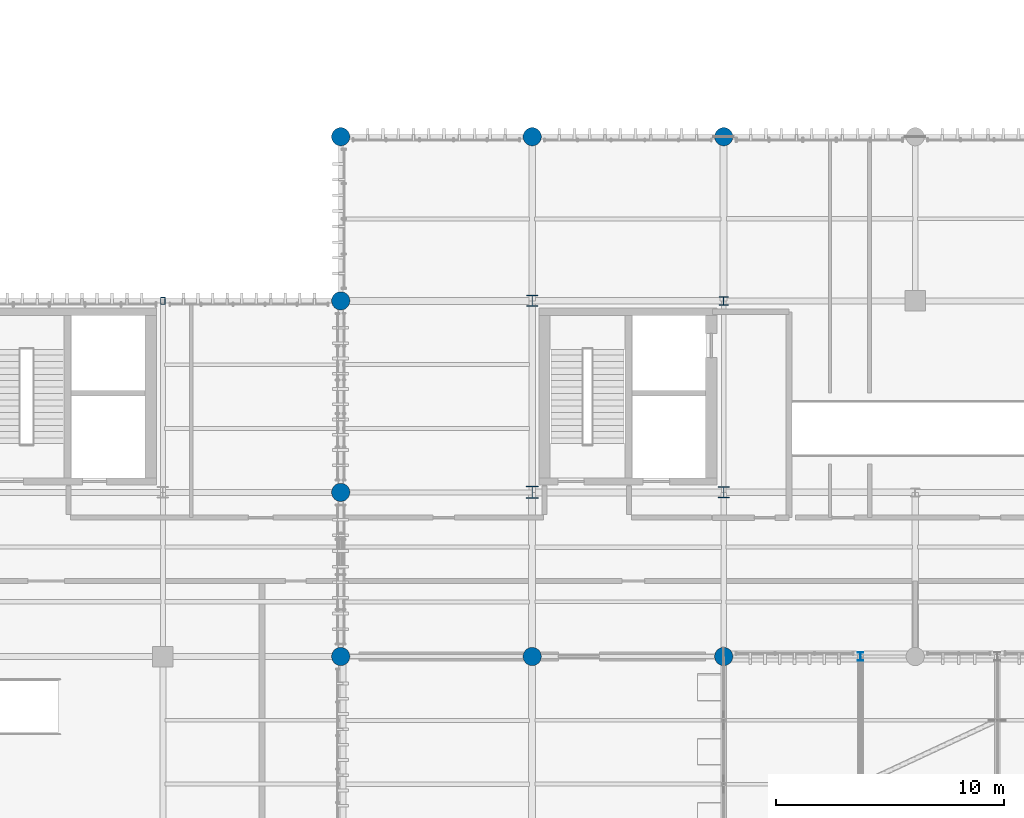
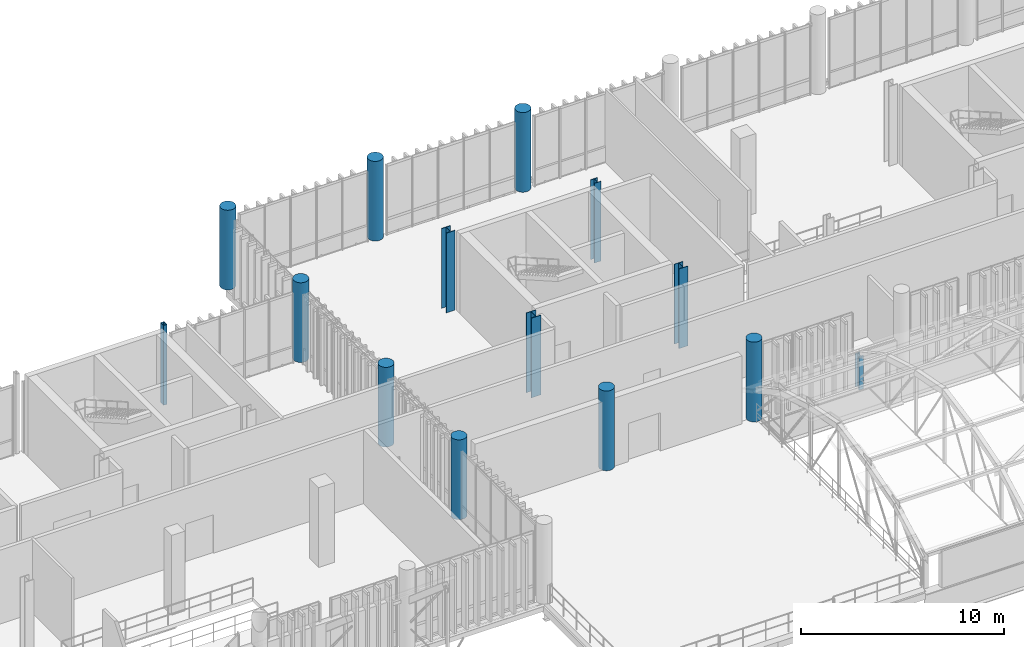
# One storey, part 4 of 109: 14 columns.
"""IFC4 building model written with IfcOpenShell, lengths in metres."""

from ifc_helpers import new_model, si_unit, direction, frame, origin_with_axes, origin_2d_with_axis, place, context, subcontext, project, spatial, hollow_rectangle, circle, i_section, extrude, material, material_profile, profile_set, type_object, element, save


model = new_model("IFC4")

# Units and contexts
model_context = context("Model", 3, precision=1e-05, world=origin_with_axes(), true_north=direction((0.0, 1.0)))
body_context = subcontext(model_context, "Body", "Model", "MODEL_VIEW")
ifc_project = project(units=[si_unit("LENGTHUNIT", "METRE"), si_unit("AREAUNIT", "SQUARE_METRE"), si_unit("VOLUMEUNIT", "CUBIC_METRE"), si_unit("PLANEANGLEUNIT", "RADIAN"), si_unit("MASSUNIT", "GRAM", prefix="KILO"), si_unit("THERMODYNAMICTEMPERATUREUNIT", "KELVIN")], contexts=[model_context])

# Site, building, storey
site_placement = place(None, origin_with_axes())
site = spatial("IfcSite", under=ifc_project, at=site_placement, CompositionType="ELEMENT")
building_placement = place(site_placement, origin_with_axes())
building = spatial("IfcBuilding", under=site, at=building_placement, Name="Montbau Bow Law Courts", CompositionType="ELEMENT")
storey_placement = place(building_placement, frame((0.0, 0.0, 10.8), z_axis=(0.0, 0.0, 1.0), x_axis=(1.0, 0.0, 0.0)))
storey = spatial("IfcBuildingStorey", under=building, at=storey_placement, Name="L02", CompositionType="ELEMENT", Elevation=10.8)

# Columns
ifc_material_1 = material(Name="Steel CSA G40.21 Grade 350WT (350 MPa)", Category="steel")
ifc_material_profile_1 = material_profile(ifc_material_1, hollow_rectangle(XDim=0.203, YDim=0.305, WallThickness=0.0127, InnerFilletRadius=0.0254, OuterFilletRadius=0.0127, at=origin_2d_with_axis()), Name="HSS305X203X13", Category="Main", Priority=0)
ifc_profile_set_1 = profile_set([ifc_material_profile_1], Name="Steel CSA G40.21 Grade 350WT (350 MPa)")
column_type_1 = type_object("IfcColumnType", Name="C-HSS-03", PredefinedType="COLUMN", material=ifc_profile_set_1)
column_1_placement = place(None, frame((39.0, 54.6, 10.8), z_axis=(0.0, 0.0, 1.0), x_axis=(1.0, 0.0, 0.0)))
element("IfcColumn", 1, at=column_1_placement, inside=storey, type_object=column_type_1, Name="C-L02-S0539:col2_0539", PredefinedType="COLUMN", context=body_context, shape_type="SweptSolid", body=[
    extrude(hollow_rectangle(XDim=0.203, YDim=0.305, WallThickness=0.0127, InnerFilletRadius=0.0254, OuterFilletRadius=0.0127, at=origin_2d_with_axis()), origin_with_axes(), (0.0, 0.0, 1.0), 4.8),
])
ifc_material_2 = material(Name="Concrete CSA A23.1 f'c 40 MPa", Category="concrete")
ifc_material_profile_2 = material_profile(ifc_material_2, circle(Radius=0.4, at=origin_2d_with_axis()), Name="RC800D", Category="Main", Priority=0)
ifc_profile_set_2 = profile_set([ifc_material_profile_2], Name="Concrete CSA A23.1 f'c 40 MPa")
column_type_2 = type_object("IfcColumnType", Name="C-RC-07", PredefinedType="COLUMN", material=ifc_profile_set_2)
for number, where, z_axis, x_axis, name in (
    (2, (46.8, 39.0, 10.8), (0.0, 0.0, 1.0), (1.0, 0.0, 0.0), "C-L02-S0541:col2_0541"),
    (3, (46.8, 46.2, 10.8), (0.0, 0.0, 1.0), (1.0, 0.0, 0.0), "C-L02-S0542:col2_0542"),
    (4, (46.8, 54.6, 10.8), (0.0, 0.0, 1.0), (1.0, 0.0, 0.0), "C-L02-S0543:col2_0543"),
    (5, (46.8, 61.8, 10.8), (0.0, 0.0, 1.0), (1.0, 0.0, 0.0), "C-L02-S0544:col2_0544"),
    (6, (55.2, 39.0, 10.8), (0.0, 0.0, 1.0), (1.0, 0.0, 0.0), "C-L02-S0545:col2_0545"),
    (7, (55.2, 61.8, 10.8), (0.0, 0.0, 1.0), (1.0, 0.0, 0.0), "C-L02-S0548:col2_0548"),
    (8, (63.6, 39.0, 10.8), (0.0, 0.0, 1.0), (1.0, 0.0, 0.0), "C-L02-S0549:col2_0549"),
    (9, (63.6, 61.8, 10.8), (0.0, 0.0, 1.0), (1.0, 0.0, 0.0), "C-L02-S0552:col2_0552"),
):
    element("IfcColumn", number, at=place(None, frame(where, z_axis=z_axis, x_axis=x_axis)), inside=storey, type_object=column_type_2, Name=name, PredefinedType="COLUMN", context=body_context, shape_type="SweptSolid", body=[
        extrude(circle(Radius=0.4, at=origin_2d_with_axis()), origin_with_axes(), (0.0, 0.0, 1.0), 4.8),
    ])
ifc_material_3 = material(Name="Steel CSA G40.21 Grade 350W (350 MPa)", Category="steel")
ifc_material_profile_3 = material_profile(ifc_material_3, i_section(OverallWidth=0.55, OverallDepth=0.55, WebThickness=0.025, FlangeThickness=0.042, at=origin_2d_with_axis()), Name="WWF550X420", Category="Main", Priority=0)
ifc_profile_set_3 = profile_set([ifc_material_profile_3], Name="Steel CSA G40.21 Grade 350W (350 MPa)")
column_type_3 = type_object("IfcColumnType", Name="C-STL-01", PredefinedType="COLUMN", material=ifc_profile_set_3)
column_2_placement = place(None, frame((55.2, 46.2, 10.8), z_axis=(0.0, 0.0, 1.0), x_axis=(1.0, 0.0, 0.0)))
element("IfcColumn", 10, at=column_2_placement, inside=storey, type_object=column_type_3, Name="C-L02-S0546:col2_0546", PredefinedType="COLUMN", context=body_context, shape_type="SweptSolid", body=[
    extrude(i_section(OverallWidth=0.55, OverallDepth=0.55, WebThickness=0.025, FlangeThickness=0.042, at=origin_2d_with_axis()), origin_with_axes(), (0.0, 0.0, 1.0), 4.8),
])
ifc_material_profile_4 = material_profile(ifc_material_3, i_section(OverallWidth=0.5, OverallDepth=0.5, WebThickness=0.022, FlangeThickness=0.036, at=origin_2d_with_axis()), Name="WWF500X343", Category="Main", Priority=0)
ifc_profile_set_4 = profile_set([ifc_material_profile_4], Name="Steel CSA G40.21 Grade 350W (350 MPa)")
column_type_4 = type_object("IfcColumnType", Name="C-STL-02", PredefinedType="COLUMN", material=ifc_profile_set_4)
for number, where, z_axis, x_axis, name in (
    (11, (55.2, 54.6, 10.8), (0.0, 0.0, 1.0), (1.0, 0.0, 0.0), "C-L02-S0547:col2_0547"),
    (12, (63.6, 46.2, 10.8), (0.0, 0.0, 1.0), (1.0, 0.0, 0.0), "C-L02-S0550:col2_0550"),
):
    element("IfcColumn", number, at=place(None, frame(where, z_axis=z_axis, x_axis=x_axis)), inside=storey, type_object=column_type_4, Name=name, PredefinedType="COLUMN", context=body_context, shape_type="SweptSolid", body=[
        extrude(i_section(OverallWidth=0.5, OverallDepth=0.5, WebThickness=0.022, FlangeThickness=0.036, at=origin_2d_with_axis()), origin_with_axes(), (0.0, 0.0, 1.0), 4.8),
    ])
ifc_material_profile_5 = material_profile(ifc_material_3, i_section(OverallWidth=0.395, OverallDepth=0.38, WebThickness=0.0189, FlangeThickness=0.0302, at=origin_2d_with_axis()), Name="W360X237", Category="Main", Priority=0)
ifc_profile_set_5 = profile_set([ifc_material_profile_5], Name="Steel CSA G40.21 Grade 350W (350 MPa)")
column_type_5 = type_object("IfcColumnType", Name="C-STL-03", PredefinedType="COLUMN", material=ifc_profile_set_5)
column_3_placement = place(None, frame((63.6, 54.6, 10.8), z_axis=(0.0, 0.0, 1.0), x_axis=(1.0, 0.0, 0.0)))
element("IfcColumn", 13, at=column_3_placement, inside=storey, type_object=column_type_5, Name="C-L02-S0551:col2_0551", PredefinedType="COLUMN", context=body_context, shape_type="SweptSolid", body=[
    extrude(i_section(OverallWidth=0.395, OverallDepth=0.38, WebThickness=0.0189, FlangeThickness=0.0302, at=origin_2d_with_axis()), origin_with_axes(), (0.0, 0.0, 1.0), 4.8),
])
ifc_material_profile_6 = material_profile(ifc_material_3, i_section(OverallWidth=0.257, OverallDepth=0.363, WebThickness=0.013, FlangeThickness=0.0217, at=origin_2d_with_axis()), Name="W360X122", Category="Main", Priority=0)
ifc_profile_set_6 = profile_set([ifc_material_profile_6], Name="Steel CSA G40.21 Grade 350W (350 MPa)")
column_type_6 = type_object("IfcColumnType", Name="C-STL-05", PredefinedType="COLUMN", material=ifc_profile_set_6)
column_4_placement = place(None, frame((69.6, 39.0, 10.48), z_axis=(0.0, 0.0, 1.0), x_axis=(1.0, 0.0, 0.0)))
element("IfcColumn", 14, at=column_4_placement, inside=storey, type_object=column_type_6, Name="C-VLT-V4-02N:col2_1180", PredefinedType="COLUMN", context=body_context, shape_type="SweptSolid", body=[
    extrude(i_section(OverallWidth=0.257, OverallDepth=0.363, WebThickness=0.013, FlangeThickness=0.0217, at=origin_2d_with_axis()), origin_with_axes(), (0.0, 0.0, 1.0), 2.02),
])

save(model, "model.ifc")
